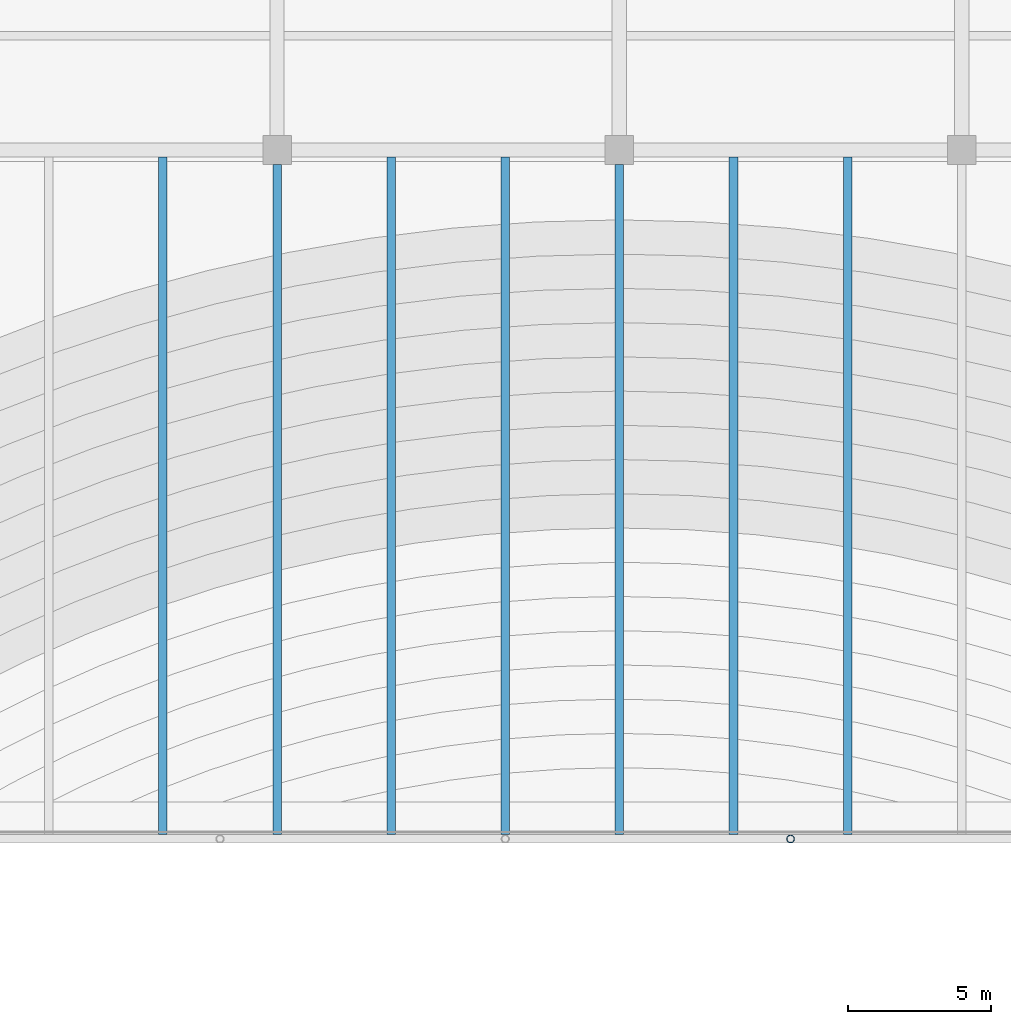
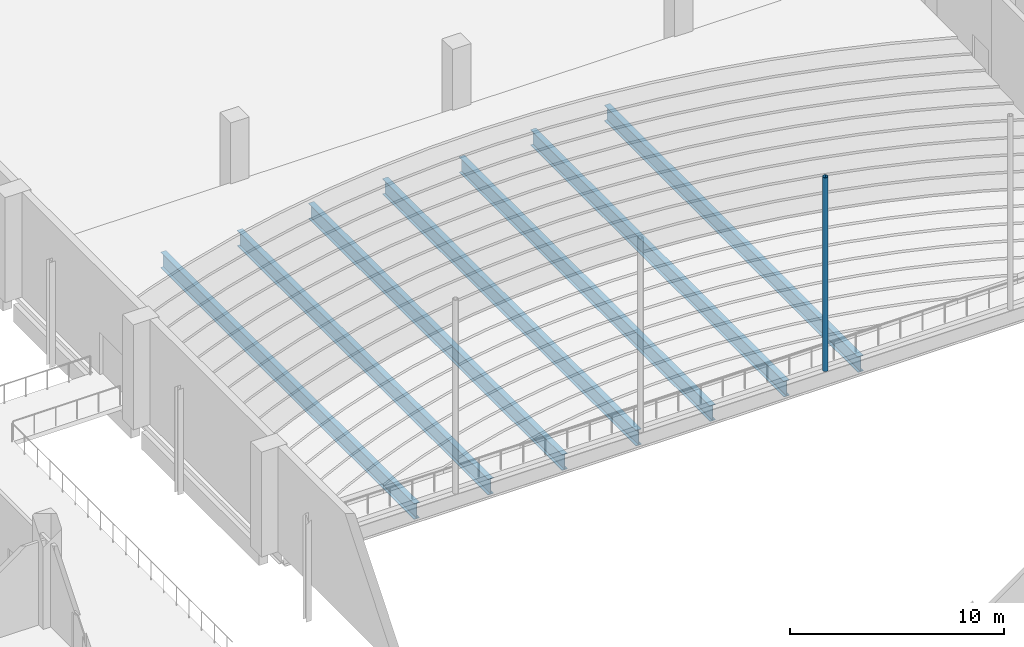
# One storey, part 23 of 72: 7 beams, 1 member.
"""IFC4 building model written with IfcOpenShell, lengths in metres."""

from ifc_helpers import new_model, si_unit, direction, frame, origin, origin_2d, place, context, subcontext, project, spatial, hollow_circle, i_section, extrude, material, material_profile, profile_set, type_object, element, save


model = new_model("IFC4")

# Units and contexts
model_context = context("Model", 3, precision=1e-05, world=origin(), true_north=direction((0.0, 1.0)))
body_context = subcontext(model_context, "Body", "Model", "MODEL_VIEW")
ifc_project = project(units=[si_unit("LENGTHUNIT", "METRE"), si_unit("AREAUNIT", "SQUARE_METRE"), si_unit("VOLUMEUNIT", "CUBIC_METRE"), si_unit("PLANEANGLEUNIT", "RADIAN"), si_unit("MASSUNIT", "GRAM", prefix="KILO")], contexts=[model_context])

# Site, building, storey
site_placement = place(None, origin())
site = spatial("IfcSite", under=ifc_project, at=site_placement, CompositionType="ELEMENT")
building_placement = place(site_placement, origin())
building = spatial("IfcBuilding", under=site, at=building_placement, Name="Lilac Gate Convention Centre", CompositionType="ELEMENT")
storey_placement = place(building_placement, frame((0.0, 0.0, 6.0)))
storey = spatial("IfcBuildingStorey", under=building, at=storey_placement, Name="L01", CompositionType="ELEMENT", Elevation=6.0)

# Beams
ifc_material = material(Name="Steel Q355B", Category="steel")
ifc_material_profile_1 = material_profile(ifc_material, i_section(OverallWidth=0.300048828125, OverallDepth=0.89990234375, WebThickness=0.01611328125, FlangeThickness=0.028076171875, FilletRadius=0.01806640625, at=origin_2d()), Name="HN900x300x16x28")
ifc_profile_set_1 = profile_set([ifc_material_profile_1], Name="Steel Q355B")
beam_type = type_object("IfcBeamType", Name="Balcony beam HN900x300x16x28", PredefinedType="BEAM", material=ifc_profile_set_1)
beam_1_placement = place(storey_placement, frame((38.0, 138.0, -0.699951171875), z_axis=(0.0, 1.0, 0.0), x_axis=(-1.0, 0.0, 0.0)))
element("IfcBeam", 1, at=beam_1_placement, inside=storey, type_object=beam_type, Name="BB1 L01 balcony beam 3", PredefinedType="BEAM", context=body_context, shape_type="SweptSolid", body=[
    extrude(i_section(OverallWidth=0.300048828125, OverallDepth=0.89990234375, WebThickness=0.01611328125, FlangeThickness=0.028076171875, FilletRadius=0.01806640625, at=origin_2d()), origin(), (0.0, 0.0, 1.0), 23.75),
])
beam_2_placement = place(storey_placement, frame((42.0, 138.0, -0.699951171875), z_axis=(0.0, 1.0, 0.0), x_axis=(-1.0, 0.0, 0.0)))
element("IfcBeam", 2, at=beam_2_placement, inside=storey, type_object=beam_type, Name="BB1 L01 balcony beam 4", PredefinedType="BEAM", context=body_context, shape_type="SweptSolid", body=[
    extrude(i_section(OverallWidth=0.300048828125, OverallDepth=0.89990234375, WebThickness=0.01611328125, FlangeThickness=0.028076171875, FilletRadius=0.01806640625, at=origin_2d()), origin(), (0.0, 0.0, 1.0), 23.5),
])
for number, where, z_axis, x_axis, name in (
    (3, (46.0, 138.0, -0.699951171875), (0.0, 1.0, 0.0), (-1.0, 0.0, 0.0), "BB1 L01 balcony beam 5"),
    (4, (50.0, 138.0, -0.699951171875), (0.0, 1.0, 0.0), (-1.0, 0.0, 0.0), "BB1 L01 balcony beam 6"),
):
    element("IfcBeam", number, at=place(storey_placement, frame(where, z_axis=z_axis, x_axis=x_axis)), inside=storey, type_object=beam_type, Name=name, PredefinedType="BEAM", context=body_context, shape_type="SweptSolid", body=[
        extrude(i_section(OverallWidth=0.300048828125, OverallDepth=0.89990234375, WebThickness=0.01611328125, FlangeThickness=0.028076171875, FilletRadius=0.01806640625, at=origin_2d()), origin(), (0.0, 0.0, 1.0), 23.75),
    ])
beam_3_placement = place(storey_placement, frame((54.0, 138.0, -0.699951171875), z_axis=(0.0, 1.0, 0.0), x_axis=(-1.0, 0.0, 0.0)))
element("IfcBeam", 5, at=beam_3_placement, inside=storey, type_object=beam_type, Name="BB1 L01 balcony beam 7", PredefinedType="BEAM", context=body_context, shape_type="SweptSolid", body=[
    extrude(i_section(OverallWidth=0.300048828125, OverallDepth=0.89990234375, WebThickness=0.01611328125, FlangeThickness=0.028076171875, FilletRadius=0.01806640625, at=origin_2d()), origin(), (0.0, 0.0, 1.0), 23.5),
])
for number, where, z_axis, x_axis, name in (
    (6, (58.0, 138.0, -0.699951171875), (0.0, 1.0, 0.0), (-1.0, 0.0, 0.0), "BB1 L01 balcony beam 8"),
    (7, (62.0, 138.0, -0.699951171875), (0.0, 1.0, 0.0), (-1.0, 0.0, 0.0), "BB1 L01 balcony beam 9"),
):
    element("IfcBeam", number, at=place(storey_placement, frame(where, z_axis=z_axis, x_axis=x_axis)), inside=storey, type_object=beam_type, Name=name, PredefinedType="BEAM", context=body_context, shape_type="SweptSolid", body=[
        extrude(i_section(OverallWidth=0.300048828125, OverallDepth=0.89990234375, WebThickness=0.01611328125, FlangeThickness=0.028076171875, FilletRadius=0.01806640625, at=origin_2d()), origin(), (0.0, 0.0, 1.0), 23.75),
    ])

# Member
ifc_material_profile_2 = material_profile(ifc_material, hollow_circle(Radius=0.136474609375, WallThickness=0.011962890625, at=origin_2d()), Name="CHS273x12")
ifc_profile_set_2 = profile_set([ifc_material_profile_2], Name="Steel Q355B")
member_type = type_object("IfcMemberType", Name="Balcony hanger CHS273x12", PredefinedType="STRUT", material=ifc_profile_set_2)
member_placement = place(storey_placement, frame((60.0, 137.85009765625, -0.25), z_axis=(0.0, 0.0, 1.0), x_axis=(1.0, 0.0, 0.0)))
element("IfcMember", 8, at=member_placement, inside=storey, type_object=member_type, Name="HG1 L01 balcony hanger 3", PredefinedType="STRUT", context=body_context, shape_type="SweptSolid", body=[
    extrude(hollow_circle(Radius=0.136474609375, WallThickness=0.011962890625, at=origin_2d()), origin(), (0.0, 0.0, 1.0), 11.074951171875),
])

save(model, "model.ifc")
